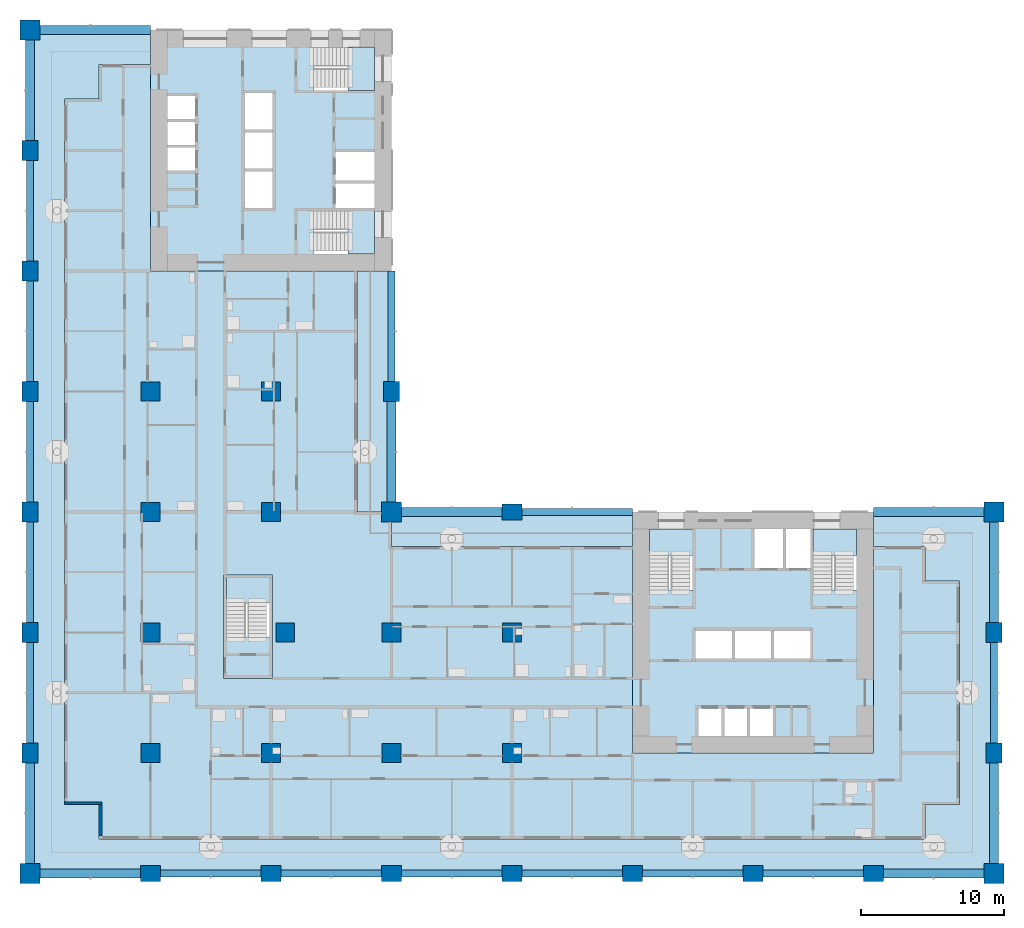
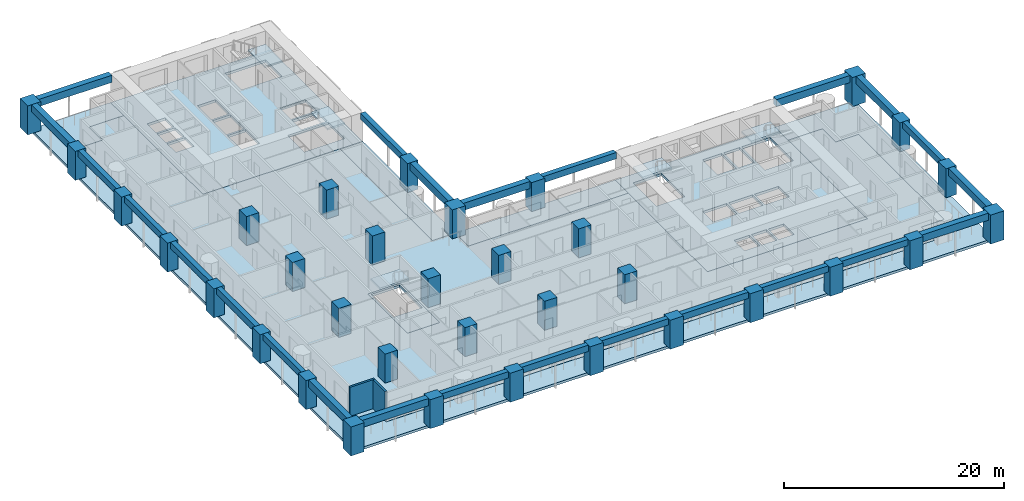
# One storey, part 1 of 20: 34 columns, 24 beams, 12 slabs, 2 walls, 5 elements without a shape of their own.
"""IFC4 building model written with IfcOpenShell, lengths in metres."""

from ifc_helpers import new_model, si_unit, direction, frame, frame_2d, origin, origin_2d, place, context, subcontext, project, spatial, polyline, rectangle, outline, extrude, material, layer, layer_set, material_profile, profile_set, type_object, element, aggregate, save


model = new_model("IFC4")

# Units and contexts
model_context = context("Model", 3, precision=1e-05, world=origin(), true_north=direction((0.0, 1.0)))
body_context = subcontext(model_context, "Body", "Model", "MODEL_VIEW")
ifc_project = project(units=[si_unit("LENGTHUNIT", "METRE"), si_unit("AREAUNIT", "SQUARE_METRE"), si_unit("VOLUMEUNIT", "CUBIC_METRE"), si_unit("PLANEANGLEUNIT", "RADIAN"), si_unit("MASSUNIT", "GRAM", prefix="KILO")], contexts=[model_context])

# Site, building, storey
site_placement = place(None, origin())
site = spatial("IfcSite", under=ifc_project, at=site_placement, CompositionType="ELEMENT")
building_placement = place(site_placement, origin())
building = spatial("IfcBuilding", under=site, at=building_placement, Name="Vermilion Gate Residences", CompositionType="ELEMENT")
storey_placement = place(building_placement, frame((0.0, 0.0, 35.699951171875)))
storey = spatial("IfcBuildingStorey", under=building, at=storey_placement, Name="L07", CompositionType="ELEMENT", Elevation=35.699951171875)

# Columns
ifc_material_1 = material(Name="Concrete C80", Category="concrete")
ifc_material_profile_1 = material_profile(ifc_material_1, rectangle(XDim=1.300048828125, YDim=1.300048828125, at=origin_2d()), Name="RC-1300x1300")
ifc_profile_set_1 = profile_set([ifc_material_profile_1], Name="Concrete C80")
column_type_1 = type_object("IfcColumnType", Name="RC COLUMN 1300 X 1300 C80", PredefinedType="COLUMN", material=ifc_profile_set_1)
for number, where, z_axis, x_axis, name in (
    (1, (8.39990234375, 8.39990234375, 0.0), (0.0, 0.0, 1.0), (1.0, 0.0, 0.0), "Column 2-B L07"),
    (2, (8.39990234375, 16.800048828125, 0.0), (0.0, 0.0, 1.0), (1.0, 0.0, 0.0), "Column 2-C L07"),
    (3, (8.39990234375, 25.199951171875, 0.0), (0.0, 0.0, 1.0), (1.0, 0.0, 0.0), "Column 2-D L07"),
    (4, (8.39990234375, 33.60009765625, 0.0), (0.0, 0.0, 1.0), (1.0, 0.0, 0.0), "Column 2-E L07"),
    (5, (16.800048828125, 8.39990234375, 0.0), (0.0, 0.0, 1.0), (1.0, 0.0, 0.0), "Column 3-B L07"),
    (6, (17.800048828125, 16.800048828125, 0.0), (0.0, 0.0, 1.0), (1.0, 0.0, 0.0), "Column 3-C L07"),
    (7, (16.800048828125, 25.199951171875, 0.0), (0.0, 0.0, 1.0), (1.0, 0.0, 0.0), "Column 3-D L07"),
    (8, (16.800048828125, 33.60009765625, 0.0), (0.0, 0.0, 1.0), (1.0, 0.0, 0.0), "Column 3-E L07"),
    (9, (25.199951171875, 8.39990234375, 0.0), (0.0, 0.0, 1.0), (1.0, 0.0, 0.0), "Column 4-B L07"),
    (10, (25.199951171875, 16.800048828125, 0.0), (0.0, 0.0, 1.0), (1.0, 0.0, 0.0), "Column 4-C L07"),
    (11, (33.60009765625, 8.39990234375, 0.0), (0.0, 0.0, 1.0), (1.0, 0.0, 0.0), "Column 5-B L07"),
    (12, (33.60009765625, 16.800048828125, 0.0), (0.0, 0.0, 1.0), (1.0, 0.0, 0.0), "Column 5-C L07"),
):
    element("IfcColumn", number, at=place(storey_placement, frame(where, z_axis=z_axis, x_axis=x_axis)), inside=storey, type_object=column_type_1, Name=name, PredefinedType="COLUMN", context=body_context, shape_type="SweptSolid", body=[
        extrude(rectangle(XDim=1.300048828125, YDim=1.300048828125, at=origin_2d()), origin(), (0.0, 0.0, 1.0), 3.219970703125),
    ])
ifc_material_2 = material(Name="Concrete C80", Category="concrete")
ifc_material_profile_2 = material_profile(ifc_material_2, rectangle(XDim=1.39990234375, YDim=1.10009765625, at=origin_2d()), Name="RC-1400x1100")
ifc_profile_set_2 = profile_set([ifc_material_profile_2], Name="Concrete C80")
column_type_2 = type_object("IfcColumnType", Name="RC COLUMN 1400 X 1100 C80", PredefinedType="COLUMN", material=ifc_profile_set_2)
for number, where, z_axis, x_axis, name in (
    (13, (0.0, 8.39990234375, 0.0), (0.0, 0.0, 1.0), (0.0, 1.0, 0.0), "Column 1-B L07"),
    (14, (0.0, 16.800048828125, 0.0), (0.0, 0.0, 1.0), (0.0, 1.0, 0.0), "Column 1-C L07"),
    (15, (0.0, 25.199951171875, 0.0), (0.0, 0.0, 1.0), (0.0, 1.0, 0.0), "Column 1-D L07"),
    (16, (0.0, 33.60009765625, 0.0), (0.0, 0.0, 1.0), (0.0, 1.0, 0.0), "Column 1-E L07"),
    (17, (0.0, 42.0, 0.0), (0.0, 0.0, 1.0), (0.0, 1.0, 0.0), "Column 1-F L07"),
    (18, (0.0, 50.39990234375, 0.0), (0.0, 0.0, 1.0), (0.0, 1.0, 0.0), "Column 1-G L07"),
    (19, (8.39990234375, 0.0, 0.0), (0.0, 0.0, 1.0), (1.0, 0.0, 0.0), "Column 2-A L07"),
    (20, (16.800048828125, 0.0, 0.0), (0.0, 0.0, 1.0), (1.0, 0.0, 0.0), "Column 3-A L07"),
    (21, (25.199951171875, 0.0, 0.0), (0.0, 0.0, 1.0), (1.0, 0.0, 0.0), "Column 4-A L07"),
    (22, (25.199951171875, 33.60009765625, 0.0), (0.0, 0.0, 1.0), (0.0, 1.0, 0.0), "Column 4-E L07"),
    (23, (33.60009765625, 0.0, 0.0), (0.0, 0.0, 1.0), (1.0, 0.0, 0.0), "Column 5-A L07"),
    (24, (33.60009765625, 25.199951171875, 0.0), (0.0, 0.0, 1.0), (1.0, 0.0, 0.0), "Column 5-D L07"),
    (25, (42.0, 0.0, 0.0), (0.0, 0.0, 1.0), (1.0, 0.0, 0.0), "Column 6-A L07"),
    (26, (50.39990234375, 0.0, 0.0), (0.0, 0.0, 1.0), (1.0, 0.0, 0.0), "Column 7-A L07"),
    (27, (58.800048828125, 0.0, 0.0), (0.0, 0.0, 1.0), (1.0, 0.0, 0.0), "Column 8-A L07"),
    (28, (67.199951171875, 8.39990234375, 0.0), (0.0, 0.0, 1.0), (0.0, 1.0, 0.0), "Column 9-B L07"),
    (29, (67.199951171875, 16.800048828125, 0.0), (0.0, 0.0, 1.0), (0.0, 1.0, 0.0), "Column 9-C L07"),
):
    element("IfcColumn", number, at=place(storey_placement, frame(where, z_axis=z_axis, x_axis=x_axis)), inside=storey, type_object=column_type_2, Name=name, PredefinedType="COLUMN", context=body_context, shape_type="SweptSolid", body=[
        extrude(rectangle(XDim=1.39990234375, YDim=1.10009765625, at=origin_2d()), origin(), (0.0, 0.0, 1.0), 3.219970703125),
    ])
ifc_material_3 = material(Name="Concrete C80", Category="concrete")
ifc_material_profile_3 = material_profile(ifc_material_3, rectangle(XDim=1.39990234375, YDim=1.39990234375, at=origin_2d()), Name="RC-1400x1400")
ifc_profile_set_3 = profile_set([ifc_material_profile_3], Name="Concrete C80")
column_type_3 = type_object("IfcColumnType", Name="RC COLUMN 1400 X 1400 C80", PredefinedType="COLUMN", material=ifc_profile_set_3)
for number, where, z_axis, x_axis, name in (
    (30, (0.0, 0.0, 0.0), (0.0, 0.0, 1.0), (1.0, 0.0, 0.0), "Column 1-A L07"),
    (31, (0.0, 58.800048828125, 0.0), (0.0, 0.0, 1.0), (1.0, 0.0, 0.0), "Column 1-H L07"),
    (32, (25.199951171875, 25.199951171875, 0.0), (0.0, 0.0, 1.0), (1.0, 0.0, 0.0), "Column 4-D L07"),
    (33, (67.199951171875, 0.0, 0.0), (0.0, 0.0, 1.0), (1.0, 0.0, 0.0), "Column 9-A L07"),
    (34, (67.199951171875, 25.199951171875, 0.0), (0.0, 0.0, 1.0), (1.0, 0.0, 0.0), "Column 9-D L07"),
):
    element("IfcColumn", number, at=place(storey_placement, frame(where, z_axis=z_axis, x_axis=x_axis)), inside=storey, type_object=column_type_3, Name=name, PredefinedType="COLUMN", context=body_context, shape_type="SweptSolid", body=[
        extrude(rectangle(XDim=1.39990234375, YDim=1.39990234375, at=origin_2d()), origin(), (0.0, 0.0, 1.0), 3.219970703125),
    ])

# Beams
ifc_material_4 = material(Name="Concrete C60 red-oxide pigmented", Category="concrete")
ifc_material_profile_4 = material_profile(ifc_material_4, rectangle(XDim=0.60009765625, YDim=0.800048828125, at=origin_2d()), Name="RC-600x800")
ifc_profile_set_4 = profile_set([ifc_material_profile_4], Name="Concrete C60 red-oxide pigmented")
beam_type_1 = type_object("IfcBeamType", Name="RC CORNER EDGE BEAM 600 X 800 C60", PredefinedType="BEAM", material=ifc_profile_set_4)
for number, where, z_axis, x_axis, name in (
    (35, (0.699951171875, 0.0, 2.820068359375), (1.0, 0.0, 0.0), (0.0, 1.0, 0.0), "Corner edge beam L07 1"),
    (36, (0.0, 0.699951171875, 2.820068359375), (0.0, 1.0, 0.0), (-1.0, 0.0, 0.0), "Corner edge beam L07 2"),
):
    element("IfcBeam", number, at=place(storey_placement, frame(where, z_axis=z_axis, x_axis=x_axis)), inside=storey, type_object=beam_type_1, Name=name, PredefinedType="BEAM", context=body_context, shape_type="SweptSolid", body=[
        extrude(rectangle(XDim=0.60009765625, YDim=0.800048828125, at=origin_2d()), origin(), (0.0, 0.0, 1.0), 7.0),
    ])
beam_1_placement = place(storey_placement, frame((0.699951171875, 58.800048828125, 2.820068359375), z_axis=(1.0, 0.0, 0.0), x_axis=(0.0, 1.0, 0.0)))
element("IfcBeam", 37, at=beam_1_placement, inside=storey, type_object=beam_type_1, Name="Corner edge beam L07 8", PredefinedType="BEAM", context=body_context, shape_type="SweptSolid", body=[
    extrude(rectangle(XDim=0.60009765625, YDim=0.800048828125, at=origin_2d()), origin(), (0.0, 0.0, 1.0), 7.699951171875),
])
for number, where, z_axis, x_axis, name in (
    (38, (0.0, 51.10009765625, 2.820068359375), (0.0, 1.0, 0.0), (-1.0, 0.0, 0.0), "Corner edge beam L07 9"),
    (39, (25.199951171875, 25.89990234375, 2.820068359375), (0.0, 1.0, 0.0), (-1.0, 0.0, 0.0), "Corner edge beam L07 12"),
    (40, (25.89990234375, 25.199951171875, 2.820068359375), (1.0, 0.0, 0.0), (0.0, 1.0, 0.0), "Corner edge beam L07 15"),
    (41, (59.5, 0.0, 2.820068359375), (1.0, 0.0, 0.0), (0.0, 1.0, 0.0), "Corner edge beam L07 20"),
    (42, (67.199951171875, 0.699951171875, 2.820068359375), (0.0, 1.0, 0.0), (-1.0, 0.0, 0.0), "Corner edge beam L07 21"),
    (43, (67.199951171875, 17.5, 2.820068359375), (0.0, 1.0, 0.0), (-1.0, 0.0, 0.0), "Corner edge beam L07 23"),
):
    element("IfcBeam", number, at=place(storey_placement, frame(where, z_axis=z_axis, x_axis=x_axis)), inside=storey, type_object=beam_type_1, Name=name, PredefinedType="BEAM", context=body_context, shape_type="SweptSolid", body=[
        extrude(rectangle(XDim=0.60009765625, YDim=0.800048828125, at=origin_2d()), origin(), (0.0, 0.0, 1.0), 7.0),
    ])
beam_2_placement = place(storey_placement, frame((58.800048828125, 25.199951171875, 2.820068359375), z_axis=(1.0, 0.0, 0.0), x_axis=(0.0, 1.0, 0.0)))
element("IfcBeam", 44, at=beam_2_placement, inside=storey, type_object=beam_type_1, Name="Corner edge beam L07 24", PredefinedType="BEAM", context=body_context, shape_type="SweptSolid", body=[
    extrude(rectangle(XDim=0.60009765625, YDim=0.800048828125, at=origin_2d()), origin(), (0.0, 0.0, 1.0), 7.699951171875),
])
ifc_material_5 = material(Name="Concrete C60 red-oxide pigmented", Category="concrete")
ifc_material_profile_5 = material_profile(ifc_material_5, rectangle(XDim=0.5, YDim=0.699951171875, at=origin_2d()), Name="RC-500x700")
ifc_profile_set_5 = profile_set([ifc_material_profile_5], Name="Concrete C60 red-oxide pigmented")
beam_type_2 = type_object("IfcBeamType", Name="RC EDGE BEAM 500 X 700 C60", PredefinedType="BEAM", material=ifc_profile_set_5)
for number, where, z_axis, x_axis, name in (
    (45, (0.0, 9.10009765625, 2.8701171875), (0.0, 1.0, 0.0), (-1.0, 0.0, 0.0), "Edge beam L07 3"),
    (46, (0.0, 17.5, 2.8701171875), (0.0, 1.0, 0.0), (-1.0, 0.0, 0.0), "Edge beam L07 4"),
    (47, (0.0, 25.89990234375, 2.8701171875), (0.0, 1.0, 0.0), (-1.0, 0.0, 0.0), "Edge beam L07 5"),
    (48, (0.0, 34.300048828125, 2.8701171875), (0.0, 1.0, 0.0), (-1.0, 0.0, 0.0), "Edge beam L07 6"),
    (49, (0.0, 42.699951171875, 2.8701171875), (0.0, 1.0, 0.0), (-1.0, 0.0, 0.0), "Edge beam L07 7"),
    (50, (9.10009765625, 0.0, 2.8701171875), (1.0, 0.0, 0.0), (0.0, 1.0, 0.0), "Edge beam L07 10"),
    (51, (17.5, 0.0, 2.8701171875), (1.0, 0.0, 0.0), (0.0, 1.0, 0.0), "Edge beam L07 11"),
):
    element("IfcBeam", number, at=place(storey_placement, frame(where, z_axis=z_axis, x_axis=x_axis)), inside=storey, type_object=beam_type_2, Name=name, PredefinedType="BEAM", context=body_context, shape_type="SweptSolid", body=[
        extrude(rectangle(XDim=0.5, YDim=0.699951171875, at=origin_2d()), origin(), (0.0, 0.0, 1.0), 7.0),
    ])
beam_3_placement = place(storey_placement, frame((25.199951171875, 34.300048828125, 2.8701171875), z_axis=(0.0, 1.0, 0.0), x_axis=(-1.0, 0.0, 0.0)))
element("IfcBeam", 52, at=beam_3_placement, inside=storey, type_object=beam_type_2, Name="Edge beam L07 13", PredefinedType="BEAM", context=body_context, shape_type="SweptSolid", body=[
    extrude(rectangle(XDim=0.5, YDim=0.699951171875, at=origin_2d()), origin(), (0.0, 0.0, 1.0), 7.699951171875),
])
for number, where, z_axis, x_axis, name in (
    (53, (25.89990234375, 0.0, 2.8701171875), (1.0, 0.0, 0.0), (0.0, 1.0, 0.0), "Edge beam L07 14"),
    (54, (34.300048828125, 0.0, 2.8701171875), (1.0, 0.0, 0.0), (0.0, 1.0, 0.0), "Edge beam L07 16"),
):
    element("IfcBeam", number, at=place(storey_placement, frame(where, z_axis=z_axis, x_axis=x_axis)), inside=storey, type_object=beam_type_2, Name=name, PredefinedType="BEAM", context=body_context, shape_type="SweptSolid", body=[
        extrude(rectangle(XDim=0.5, YDim=0.699951171875, at=origin_2d()), origin(), (0.0, 0.0, 1.0), 7.0),
    ])
beam_4_placement = place(storey_placement, frame((34.300048828125, 25.199951171875, 2.8701171875), z_axis=(1.0, 0.0, 0.0), x_axis=(0.0, 1.0, 0.0)))
element("IfcBeam", 55, at=beam_4_placement, inside=storey, type_object=beam_type_2, Name="Edge beam L07 17", PredefinedType="BEAM", context=body_context, shape_type="SweptSolid", body=[
    extrude(rectangle(XDim=0.5, YDim=0.699951171875, at=origin_2d()), origin(), (0.0, 0.0, 1.0), 7.699951171875),
])
for number, where, z_axis, x_axis, name in (
    (56, (42.699951171875, 0.0, 2.8701171875), (1.0, 0.0, 0.0), (0.0, 1.0, 0.0), "Edge beam L07 18"),
    (57, (51.10009765625, 0.0, 2.8701171875), (1.0, 0.0, 0.0), (0.0, 1.0, 0.0), "Edge beam L07 19"),
    (58, (67.199951171875, 9.10009765625, 2.8701171875), (0.0, 1.0, 0.0), (-1.0, 0.0, 0.0), "Edge beam L07 22"),
):
    element("IfcBeam", number, at=place(storey_placement, frame(where, z_axis=z_axis, x_axis=x_axis)), inside=storey, type_object=beam_type_2, Name=name, PredefinedType="BEAM", context=body_context, shape_type="SweptSolid", body=[
        extrude(rectangle(XDim=0.5, YDim=0.699951171875, at=origin_2d()), origin(), (0.0, 0.0, 1.0), 7.0),
    ])

# Slabs
ifc_material_6 = material(Name="Concrete C50", Category="concrete")
ifc_layer_1 = layer(ifc_material_6, 0.280029296875)
ifc_layer_set_1 = layer_set([ifc_layer_1], Name="RC CORE FLOOR SLAB 280 C50")
slab_type_1 = type_object("IfcSlabType", Name="RC CORE FLOOR SLAB 280 C50", PredefinedType="FLOOR", material=ifc_layer_set_1)
slab_1_placement = place(storey_placement, frame((0.0, 0.0, -0.280029296875)))
element("IfcSlab", 59, at=slab_1_placement, inside=storey, type_object=slab_type_1, Name="Core floor slab A07", PredefinedType="FLOOR", context=body_context, shape_type="SweptSolid", body=[
    extrude(outline(polyline([(42.0, 8.39990234375), (58.800048828125, 8.39990234375), (58.800048828125, 25.199951171875), (42.0, 25.199951171875), (42.0, 8.39990234375)]), holes=[polyline([(46.60009765625, 11.5), (48.199951171875, 11.5), (48.199951171875, 9.60009765625), (46.60009765625, 9.60009765625), (46.60009765625, 11.5)]), polyline([(48.39990234375, 11.5), (50.0, 11.5), (50.0, 9.60009765625), (48.39990234375, 9.60009765625), (48.39990234375, 11.5)]), polyline([(50.199951171875, 11.5), (51.800048828125, 11.5), (51.800048828125, 9.60009765625), (50.199951171875, 9.60009765625), (50.199951171875, 11.5)]), polyline([(48.933349609375, 16.89990234375), (48.933349609375, 15.0), (46.39990234375, 15.0), (46.39990234375, 16.89990234375), (48.933349609375, 16.89990234375)]), polyline([(51.666748046875, 16.89990234375), (51.666748046875, 15.0), (49.13330078125, 15.0), (49.13330078125, 16.89990234375), (51.666748046875, 16.89990234375)]), polyline([(51.86669921875, 16.89990234375), (54.39990234375, 16.89990234375), (54.39990234375, 15.0), (51.86669921875, 15.0), (51.86669921875, 16.89990234375)]), polyline([(43.199951171875, 24.0), (46.199951171875, 24.0), (46.199951171875, 19.75), (43.199951171875, 19.75), (43.199951171875, 24.0)]), polyline([(54.60009765625, 24.0), (57.60009765625, 24.0), (57.60009765625, 19.75), (54.60009765625, 19.75), (54.60009765625, 24.0)]), polyline([(52.5, 24.0), (52.5, 21.300048828125), (50.5, 21.300048828125), (50.5, 24.0), (52.5, 24.0)]), polyline([(54.39990234375, 24.0), (54.39990234375, 21.300048828125), (52.699951171875, 21.300048828125), (52.699951171875, 24.0), (54.39990234375, 24.0)])]), origin(), (0.0, 0.0, 1.0), 0.280029296875),
])
slab_2_placement = place(storey_placement, frame((0.0, 0.0, -0.280029296875)))
element("IfcSlab", 60, at=slab_2_placement, inside=storey, type_object=slab_type_1, Name="Core floor slab B07", PredefinedType="FLOOR", context=body_context, shape_type="SweptSolid", body=[
    extrude(outline(polyline([(8.39990234375, 42.0), (25.199951171875, 42.0), (25.199951171875, 58.800048828125), (8.39990234375, 58.800048828125), (8.39990234375, 42.0)]), holes=[polyline([(19.75, 46.199951171875), (24.0, 46.199951171875), (24.0, 43.199951171875), (19.75, 43.199951171875), (19.75, 46.199951171875)]), polyline([(21.300048828125, 48.10009765625), (24.0, 48.10009765625), (24.0, 46.39990234375), (21.300048828125, 46.39990234375), (21.300048828125, 48.10009765625)]), polyline([(15.0, 48.933349609375), (16.89990234375, 48.933349609375), (16.89990234375, 46.39990234375), (15.0, 46.39990234375), (15.0, 48.933349609375)]), polyline([(24.0, 50.300048828125), (24.0, 48.300048828125), (21.300048828125, 48.300048828125), (21.300048828125, 50.300048828125), (24.0, 50.300048828125)]), polyline([(11.5, 50.60009765625), (11.5, 49.0), (9.60009765625, 49.0), (9.60009765625, 50.60009765625), (11.5, 50.60009765625)]), polyline([(15.0, 51.666748046875), (16.89990234375, 51.666748046875), (16.89990234375, 49.13330078125), (15.0, 49.13330078125), (15.0, 51.666748046875)]), polyline([(9.60009765625, 52.39990234375), (11.5, 52.39990234375), (11.5, 50.800048828125), (9.60009765625, 50.800048828125), (9.60009765625, 52.39990234375)]), polyline([(15.0, 54.39990234375), (16.89990234375, 54.39990234375), (16.89990234375, 51.86669921875), (15.0, 51.86669921875), (15.0, 54.39990234375)]), polyline([(11.5, 54.199951171875), (11.5, 52.60009765625), (9.60009765625, 52.60009765625), (9.60009765625, 54.199951171875), (11.5, 54.199951171875)]), polyline([(24.0, 57.60009765625), (24.0, 54.60009765625), (19.75, 54.60009765625), (19.75, 57.60009765625), (24.0, 57.60009765625)])]), origin(), (0.0, 0.0, 1.0), 0.280029296875),
])
slab_3_placement = place(storey_placement, frame((0.0, 0.0, -0.280029296875)))
element("IfcSlab", 61, at=slab_3_placement, inside=storey, type_object=slab_type_1, Name="Apex stair floor slab 07", PredefinedType="FLOOR", context=body_context, shape_type="SweptSolid", body=[
    extrude(outline(polyline([(13.5, 13.60009765625), (16.89990234375, 13.60009765625), (16.89990234375, 20.800048828125), (13.5, 20.800048828125), (13.5, 13.60009765625)]), holes=[polyline([(16.699951171875, 20.60009765625), (16.699951171875, 16.449951171875), (13.699951171875, 16.449951171875), (13.699951171875, 20.60009765625), (16.699951171875, 20.60009765625)])]), origin(), (0.0, 0.0, 1.0), 0.280029296875),
])
ifc_material_7 = material(Name="Concrete C50", Category="concrete")
ifc_layer_2 = layer(ifc_material_7, 0.280029296875)
ifc_layer_set_2 = layer_set([ifc_layer_2], Name="RC FLAT PLATE 280 C50")
slab_type_2 = type_object("IfcSlabType", Name="RC FLAT PLATE 280 C50", PredefinedType="FLOOR", material=ifc_layer_set_2)
slab_4_placement = place(storey_placement, frame((0.0, 0.0, -0.280029296875)))
element("IfcSlab", 62, at=slab_4_placement, inside=storey, type_object=slab_type_2, Name="Floor slab L07", PredefinedType="FLOOR", context=body_context, shape_type="SweptSolid", body=[
    extrude(outline(polyline([(22.800048828125, 25.199951171875), (22.800048828125, 42.0), (8.39990234375, 42.0), (8.39990234375, 56.39990234375), (4.800048828125, 56.39990234375), (4.800048828125, 54.0), (2.39990234375, 54.0), (2.39990234375, 4.800048828125), (4.800048828125, 4.800048828125), (4.800048828125, 2.39990234375), (62.39990234375, 2.39990234375), (62.39990234375, 4.800048828125), (64.800048828125, 4.800048828125), (64.800048828125, 20.39990234375), (62.39990234375, 20.39990234375), (62.39990234375, 22.800048828125), (58.800048828125, 22.800048828125), (58.800048828125, 8.39990234375), (42.0, 8.39990234375), (42.0, 22.800048828125), (25.199951171875, 22.800048828125), (25.199951171875, 25.199951171875), (22.800048828125, 25.199951171875)]), holes=[polyline([(13.5, 13.60009765625), (13.5, 20.800048828125), (16.89990234375, 20.800048828125), (16.89990234375, 13.60009765625), (13.5, 13.60009765625)])]), origin(), (0.0, 0.0, 1.0), 0.280029296875),
])
ifc_material_8 = material(Name="Concrete C50 red-oxide pigmented", Category="concrete")
ifc_layer_3 = layer(ifc_material_8, 0.280029296875)
ifc_layer_set_3 = layer_set([ifc_layer_3], Name="RC LOGGIA SLAB 280 C50")
slab_type_3 = type_object("IfcSlabType", Name="RC LOGGIA SLAB 280 C50", PredefinedType="FLOOR", material=ifc_layer_set_3)
slab_5_placement = place(storey_placement, frame((0.0, 0.0, -0.280029296875)))
element("IfcSlab", 63, at=slab_5_placement, inside=storey, type_object=slab_type_3, Name="Loggia slab L07", PredefinedType="FLOOR", context=body_context, shape_type="SweptSolid", body=[
    extrude(outline(polyline([(0.0, 58.800048828125), (0.0, 0.0), (67.199951171875, 0.0), (67.199951171875, 25.199951171875), (58.800048828125, 25.199951171875), (58.800048828125, 22.800048828125), (62.39990234375, 22.800048828125), (62.39990234375, 20.39990234375), (64.800048828125, 20.39990234375), (64.800048828125, 4.800048828125), (62.39990234375, 4.800048828125), (62.39990234375, 2.39990234375), (4.800048828125, 2.39990234375), (4.800048828125, 4.800048828125), (2.39990234375, 4.800048828125), (2.39990234375, 54.0), (4.800048828125, 54.0), (4.800048828125, 56.39990234375), (8.39990234375, 56.39990234375), (8.39990234375, 58.800048828125), (0.0, 58.800048828125)])), origin(), (0.0, 0.0, 1.0), 0.280029296875),
])
slab_6_placement = place(storey_placement, frame((0.0, 0.0, -0.280029296875)))
element("IfcSlab", 64, at=slab_6_placement, inside=storey, type_object=slab_type_3, Name="Loggia slab L07", PredefinedType="FLOOR", context=body_context, shape_type="SweptSolid", body=[
    extrude(outline(polyline([(25.199951171875, 22.800048828125), (42.0, 22.800048828125), (42.0, 25.199951171875), (25.199951171875, 25.199951171875), (25.199951171875, 22.800048828125)])), origin(), (0.0, 0.0, 1.0), 0.280029296875),
])
slab_7_placement = place(storey_placement, frame((0.0, 0.0, -0.280029296875)))
element("IfcSlab", 65, at=slab_7_placement, inside=storey, type_object=slab_type_3, Name="Loggia slab L07", PredefinedType="FLOOR", context=body_context, shape_type="SweptSolid", body=[
    extrude(outline(polyline([(22.800048828125, 42.0), (22.800048828125, 25.199951171875), (25.199951171875, 25.199951171875), (25.199951171875, 42.0), (22.800048828125, 42.0)])), origin(), (0.0, 0.0, 1.0), 0.280029296875),
])

# Stair, slab
ifc_material_9 = material(Name="Concrete C50", Category="concrete")
stair_type = type_object("IfcStairType", Name="SPECIAL ESCAPE STAIR 1300", PredefinedType="HALF_TURN_STAIR", material=ifc_material_9)
stair_1_placement = place(storey_placement, origin())
stair_1 = element("IfcStair", 66, at=stair_1_placement, inside=storey, type_object=stair_type, Name="Special escape stair STA1-07", PredefinedType="HALF_TURN_STAIR")
ifc_material_10 = material(Name="Concrete C50", Category="concrete")
ifc_layer_4 = layer(ifc_material_10, 0.199951171875)
ifc_layer_set_4 = layer_set([ifc_layer_4], Name="STAIR LANDING 200 C50")
slab_type_4 = type_object("IfcSlabType", Name="STAIR LANDING 200 C50", PredefinedType="LANDING", material=ifc_layer_set_4)
slab_8_placement = place(storey_placement, frame((0.0, 0.0, 1.550048828125)))
slab_8 = element("IfcSlab", 67, at=slab_8_placement, type_object=slab_type_4, Name="STA1-07 landing 1", PredefinedType="LANDING", context=body_context, shape_type="SweptSolid", body=[
    extrude(outline(polyline([(46.219970703125, 22.179931640625), (46.219970703125, 24.02001953125), (43.179931640625, 24.02001953125), (43.179931640625, 22.179931640625), (46.219970703125, 22.179931640625)])), origin(), (0.0, 0.0, 1.0), 0.199951171875),
])
aggregate(stair_1, [slab_8])

stair_2_placement = place(storey_placement, origin())
stair_2 = element("IfcStair", 68, at=stair_2_placement, inside=storey, type_object=stair_type, Name="Special escape stair STA2-07", PredefinedType="HALF_TURN_STAIR")
slab_9_placement = place(storey_placement, frame((0.0, 0.0, 1.550048828125)))
slab_9 = element("IfcSlab", 69, at=slab_9_placement, type_object=slab_type_4, Name="STA2-07 landing 1", PredefinedType="LANDING", context=body_context, shape_type="SweptSolid", body=[
    extrude(outline(polyline([(57.6201171875, 22.179931640625), (57.6201171875, 24.02001953125), (54.580078125, 24.02001953125), (54.580078125, 22.179931640625), (57.6201171875, 22.179931640625)])), origin(), (0.0, 0.0, 1.0), 0.199951171875),
])
aggregate(stair_2, [slab_9])

stair_3_placement = place(storey_placement, origin())
stair_3 = element("IfcStair", 70, at=stair_3_placement, inside=storey, type_object=stair_type, Name="Special escape stair STB1-07", PredefinedType="HALF_TURN_STAIR")
slab_10_placement = place(storey_placement, frame((0.0, 0.0, 1.550048828125)))
slab_10 = element("IfcSlab", 71, at=slab_10_placement, type_object=slab_type_4, Name="STB1-07 landing 1", PredefinedType="LANDING", context=body_context, shape_type="SweptSolid", body=[
    extrude(outline(polyline([(24.02001953125, 54.580078125), (24.02001953125, 57.6201171875), (22.179931640625, 57.6201171875), (22.179931640625, 54.580078125), (24.02001953125, 54.580078125)])), origin(), (0.0, 0.0, 1.0), 0.199951171875),
])
aggregate(stair_3, [slab_10])

stair_4_placement = place(storey_placement, origin())
stair_4 = element("IfcStair", 72, at=stair_4_placement, inside=storey, type_object=stair_type, Name="Special escape stair STB2-07", PredefinedType="HALF_TURN_STAIR")
slab_11_placement = place(storey_placement, frame((0.0, 0.0, 1.550048828125)))
slab_11 = element("IfcSlab", 73, at=slab_11_placement, type_object=slab_type_4, Name="STB2-07 landing 1", PredefinedType="LANDING", context=body_context, shape_type="SweptSolid", body=[
    extrude(outline(polyline([(24.02001953125, 43.179931640625), (24.02001953125, 46.219970703125), (22.179931640625, 46.219970703125), (22.179931640625, 43.179931640625), (24.02001953125, 43.179931640625)])), origin(), (0.0, 0.0, 1.0), 0.199951171875),
])
aggregate(stair_4, [slab_11])

stair_5_placement = place(storey_placement, origin())
stair_5 = element("IfcStair", 74, at=stair_5_placement, inside=storey, type_object=stair_type, Name="Special escape stair STC1-07", PredefinedType="HALF_TURN_STAIR")
slab_12_placement = place(storey_placement, frame((0.0, 0.0, 1.550048828125)))
slab_12 = element("IfcSlab", 75, at=slab_12_placement, type_object=slab_type_4, Name="STC1-07 landing 1", PredefinedType="LANDING", context=body_context, shape_type="SweptSolid", body=[
    extrude(outline(polyline([(16.719970703125, 18.8798828125), (16.719970703125, 20.6201171875), (13.679931640625, 20.6201171875), (13.679931640625, 18.8798828125), (16.719970703125, 18.8798828125)])), origin(), (0.0, 0.0, 1.0), 0.199951171875),
])
aggregate(stair_5, [slab_12])

# Walls
ifc_material_11 = material(Name="Insulated steel stud wall with terracotta rainscreen", Category="masonry")
ifc_layer_5 = layer(ifc_material_11, 0.199951171875)
ifc_layer_set_5 = layer_set([ifc_layer_5], Name="EXTERNAL WALL 200 TERRACOTTA RAINSCREEN")
wall_type = type_object("IfcWallType", Name="EXTERNAL WALL 200 TERRACOTTA RAINSCREEN", PredefinedType="SOLIDWALL", material=ifc_layer_set_5)
wall_1_placement = place(storey_placement, frame((2.39990234375, 4.89990234375, 0.0), z_axis=(0.0, 0.0, 1.0), x_axis=(1.0, 0.0, 0.0)))
element("IfcWall", 76, at=wall_1_placement, inside=storey, type_object=wall_type, Name="External wall", PredefinedType="SOLIDWALL", context=body_context, shape_type="SweptSolid", body=[
    extrude(rectangle(XDim=2.60009765625, YDim=0.199951171875, at=frame_2d((1.300048828125, 0.0))), origin(), (0.0, 0.0, 1.0), 3.219970703125),
])
wall_2_placement = place(storey_placement, frame((4.89990234375, 4.800048828125, 0.0), z_axis=(0.0, 0.0, 1.0), x_axis=(0.0, -1.0, 0.0)))
element("IfcWall", 77, at=wall_2_placement, inside=storey, type_object=wall_type, Name="External wall", PredefinedType="SOLIDWALL", context=body_context, shape_type="SweptSolid", body=[
    extrude(rectangle(XDim=2.199951171875, YDim=0.199951171875, at=frame_2d((1.10009765625, 0.0))), origin(), (0.0, 0.0, 1.0), 3.219970703125),
])

save(model, "model.ifc")
